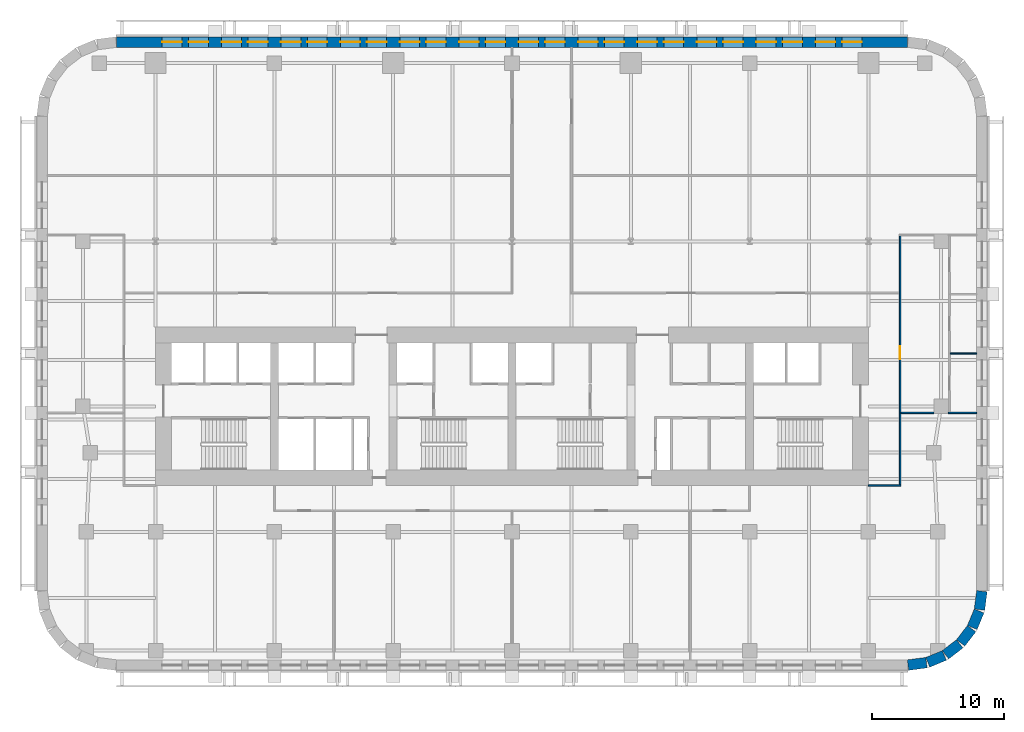
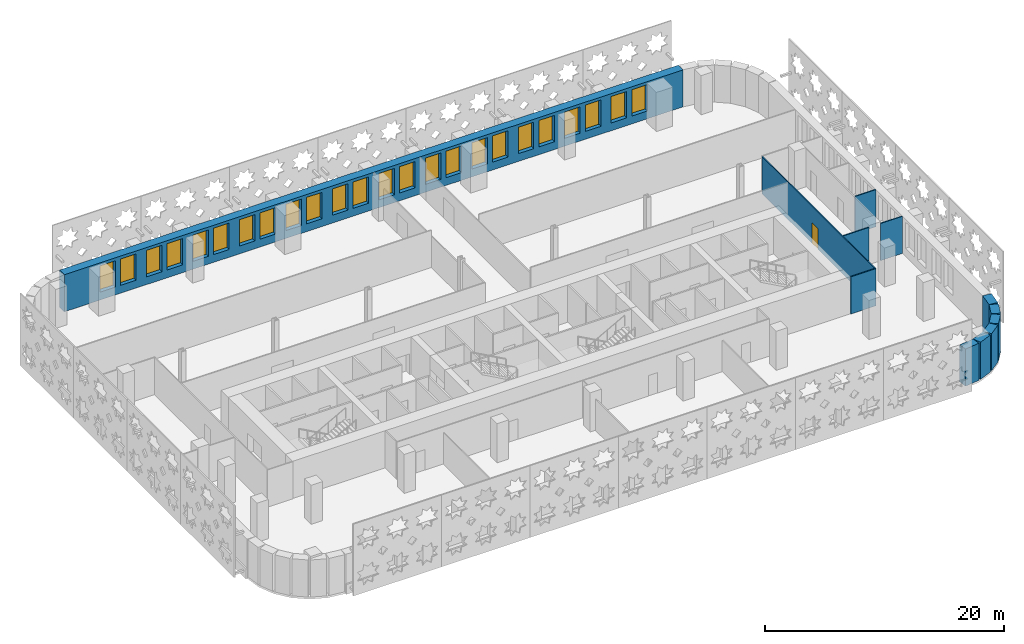
# One storey, part 8 of 15: 24 windows, 12 walls, 1 door, 25 openings.
"""IFC4 building model written with IfcOpenShell, lengths in metres."""

from ifc_helpers import new_model, si_unit, direction, frame, frame_2d, origin, place, context, subcontext, project, spatial, rectangle, extrude, material, layer, layer_set, type_object, element, fill, save


model = new_model("IFC4")

# Units and contexts
model_context = context("Model", 3, precision=1e-05, world=origin(), true_north=direction((0.0, 1.0)))
body_context = subcontext(model_context, "Body", "Model", "MODEL_VIEW")
ifc_project = project(units=[si_unit("LENGTHUNIT", "METRE"), si_unit("AREAUNIT", "SQUARE_METRE"), si_unit("VOLUMEUNIT", "CUBIC_METRE"), si_unit("PLANEANGLEUNIT", "RADIAN"), si_unit("MASSUNIT", "GRAM", prefix="KILO")], contexts=[model_context])

# Site, building, storey
site_placement = place(None, origin())
site = spatial("IfcSite", under=ifc_project, at=site_placement, CompositionType="ELEMENT")
building_placement = place(site_placement, origin())
building = spatial("IfcBuilding", under=site, at=building_placement, Name="Zellij Exchange Tower", CompositionType="ELEMENT")
storey_placement = place(building_placement, frame((0.0, 0.0, 84.5)))
storey = spatial("IfcBuildingStorey", under=building, at=storey_placement, Name="L17", CompositionType="ELEMENT", Elevation=84.5)

# Walls
ifc_material_1 = material(Name="Precast concrete C40/50", Category="concrete")
ifc_layer_1 = layer(ifc_material_1, 0.800048828125)
ifc_layer_set_1 = layer_set([ifc_layer_1], Name="Precast concrete C40/50")
wall_type_1 = type_object("IfcWallType", Name="ENV-EW1 Precast stone-piered wall 800", PredefinedType="SOLIDWALL", material=ifc_layer_set_1)
wall_1_placement = place(storey_placement, frame((29.999755859375, -27.5966796875, 0.0), z_axis=(0.0, 0.0, 1.0), x_axis=(0.99144603414, 0.130517283865, 0.0)))
element("IfcWall", 1, at=wall_1_placement, inside=storey, type_object=wall_type_1, Name="fac.L17.01", PredefinedType="SOLIDWALL", context=body_context, shape_type="SweptSolid", body=[
    extrude(rectangle(XDim=1.408447265625, YDim=0.800048828125, at=frame_2d((0.7041015625, 0.0))), origin(), (0.0, 0.0, 1.0), 3.800048828125),
])
wall_2_placement = place(storey_placement, frame((31.497314453125, -27.3857421875, 0.0), z_axis=(0.0, 0.0, 1.0), x_axis=(0.923847774587, 0.38276009378, 0.0)))
element("IfcWall", 2, at=wall_2_placement, inside=storey, type_object=wall_type_1, Name="fac.L17.02", PredefinedType="SOLIDWALL", context=body_context, shape_type="SweptSolid", body=[
    extrude(rectangle(XDim=1.35546875, YDim=0.800048828125, at=frame_2d((0.677734375, 0.0))), origin(), (0.0, 0.0, 1.0), 3.800048828125),
])
for number, where, z_axis, x_axis, name in (
    (3, (32.840087890625, -26.814697265625, 0.0), (0.0, 0.0, 1.0), (0.793272915452, 0.608866226366, 0.0), "fac.L17.03"),
    (4, (33.9892578125, -25.91552734375, 0.0), (0.0, 0.0, 1.0), (0.608866226366, 0.793272915452, 0.0), "fac.L17.04"),
):
    element("IfcWall", number, at=place(storey_placement, frame(where, z_axis=z_axis, x_axis=x_axis)), inside=storey, type_object=wall_type_1, Name=name, PredefinedType="SOLIDWALL", context=body_context, shape_type="SweptSolid", body=[
        extrude(rectangle(XDim=1.355712890625, YDim=0.800048828125, at=frame_2d((0.677734375, 0.0))), origin(), (0.0, 0.0, 1.0), 3.800048828125),
    ])
wall_3_placement = place(storey_placement, frame((34.866943359375, -24.74951171875, 0.0), z_axis=(0.0, 0.0, 1.0), x_axis=(0.38276009378, 0.923847774587, 0.0)))
element("IfcWall", 5, at=wall_3_placement, inside=storey, type_object=wall_type_1, Name="fac.L17.05", PredefinedType="SOLIDWALL", context=body_context, shape_type="SweptSolid", body=[
    extrude(rectangle(XDim=1.35546875, YDim=0.800048828125, at=frame_2d((0.677734375, 0.0))), origin(), (0.0, 0.0, 1.0), 3.800048828125),
])
wall_4_placement = place(storey_placement, frame((35.412841796875, -23.396240234375, 0.0), z_axis=(0.0, 0.0, 1.0), x_axis=(0.130517283865, 0.99144603414, 0.0)))
element("IfcWall", 6, at=wall_4_placement, inside=storey, type_object=wall_type_1, Name="fac.L17.06", PredefinedType="SOLIDWALL", context=body_context, shape_type="SweptSolid", body=[
    extrude(rectangle(XDim=1.408447265625, YDim=0.800048828125, at=frame_2d((0.7041015625, 0.0))), origin(), (0.0, 0.0, 1.0), 3.800048828125),
])

# Wall, openings, windows
wall_5_placement = place(storey_placement, frame((29.947509765625, 19.60009765625, 0.0), z_axis=(0.0, 0.0, 1.0), x_axis=(-1.0, 0.0, 0.0)))
wall_5 = element("IfcWall", 7, at=wall_5_placement, inside=storey, type_object=wall_type_1, Name="fac.L17.14", PredefinedType="SOLIDWALL", context=body_context, shape_type="SweptSolid", body=[
    extrude(rectangle(XDim=59.89501953125, YDim=0.800048828125, at=frame_2d((29.947509765625, 0.0))), origin(), (0.0, 0.0, 1.0), 3.800048828125),
])
opening_1_placement = place(wall_5_placement, frame((3.447509765625, 0.0, 0.800048828125)))
opening_1 = element("IfcOpeningElement", 8, at=opening_1_placement, cuts=wall_5, Name="Opening FZ1.37", PredefinedType="OPENING", context=body_context, shape_type="SweptSolid", body=[
    extrude(rectangle(XDim=1.5, YDim=2.699951171875, at=frame_2d((0.75, 1.35009765625))), frame((0.0, 0.412109375, 0.0), z_axis=(0.0, -1.0, 0.0), x_axis=(1.0, 0.0, 0.0)), (0.0, 0.0, 1.0), 0.823974609375),
])
opening_2_placement = place(wall_5_placement, frame((5.447509765625, 0.0, 0.800048828125)))
opening_2 = element("IfcOpeningElement", 9, at=opening_2_placement, cuts=wall_5, Name="Opening FZ1.38", PredefinedType="OPENING", context=body_context, shape_type="SweptSolid", body=[
    extrude(rectangle(XDim=1.5, YDim=2.699951171875, at=frame_2d((0.75, 1.35009765625))), frame((0.0, 0.412109375, 0.0), z_axis=(0.0, -1.0, 0.0), x_axis=(1.0, 0.0, 0.0)), (0.0, 0.0, 1.0), 0.823974609375),
])
opening_3_placement = place(wall_5_placement, frame((7.947509765625, 0.0, 0.800048828125)))
opening_3 = element("IfcOpeningElement", 10, at=opening_3_placement, cuts=wall_5, Name="Opening FZ1.39", PredefinedType="OPENING", context=body_context, shape_type="SweptSolid", body=[
    extrude(rectangle(XDim=1.5, YDim=2.699951171875, at=frame_2d((0.75, 1.35009765625))), frame((0.0, 0.412109375, 0.0), z_axis=(0.0, -1.0, 0.0), x_axis=(1.0, 0.0, 0.0)), (0.0, 0.0, 1.0), 0.823974609375),
])
opening_4_placement = place(wall_5_placement, frame((9.947509765625, 0.0, 0.800048828125)))
opening_4 = element("IfcOpeningElement", 11, at=opening_4_placement, cuts=wall_5, Name="Opening FZ1.40", PredefinedType="OPENING", context=body_context, shape_type="SweptSolid", body=[
    extrude(rectangle(XDim=1.5, YDim=2.699951171875, at=frame_2d((0.75, 1.35009765625))), frame((0.0, 0.412109375, 0.0), z_axis=(0.0, -1.0, 0.0), x_axis=(1.0, 0.0, 0.0)), (0.0, 0.0, 1.0), 0.823974609375),
])
opening_5_placement = place(wall_5_placement, frame((12.447509765625, 0.0, 0.800048828125)))
opening_5 = element("IfcOpeningElement", 12, at=opening_5_placement, cuts=wall_5, Name="Opening FZ1.41", PredefinedType="OPENING", context=body_context, shape_type="SweptSolid", body=[
    extrude(rectangle(XDim=1.5, YDim=2.699951171875, at=frame_2d((0.75, 1.35009765625))), frame((0.0, 0.412109375, 0.0), z_axis=(0.0, -1.0, 0.0), x_axis=(1.0, 0.0, 0.0)), (0.0, 0.0, 1.0), 0.823974609375),
])
opening_6_placement = place(wall_5_placement, frame((14.447509765625, 0.0, 0.800048828125)))
opening_6 = element("IfcOpeningElement", 13, at=opening_6_placement, cuts=wall_5, Name="Opening FZ1.42", PredefinedType="OPENING", context=body_context, shape_type="SweptSolid", body=[
    extrude(rectangle(XDim=1.5, YDim=2.699951171875, at=frame_2d((0.75, 1.35009765625))), frame((0.0, 0.412109375, 0.0), z_axis=(0.0, -1.0, 0.0), x_axis=(1.0, 0.0, 0.0)), (0.0, 0.0, 1.0), 0.823974609375),
])
opening_7_placement = place(wall_5_placement, frame((16.947509765625, 0.0, 0.800048828125)))
opening_7 = element("IfcOpeningElement", 14, at=opening_7_placement, cuts=wall_5, Name="Opening FZ1.43", PredefinedType="OPENING", context=body_context, shape_type="SweptSolid", body=[
    extrude(rectangle(XDim=1.5, YDim=2.699951171875, at=frame_2d((0.75, 1.35009765625))), frame((0.0, 0.412109375, 0.0), z_axis=(0.0, -1.0, 0.0), x_axis=(1.0, 0.0, 0.0)), (0.0, 0.0, 1.0), 0.823974609375),
])
opening_8_placement = place(wall_5_placement, frame((18.947509765625, 0.0, 0.800048828125)))
opening_8 = element("IfcOpeningElement", 15, at=opening_8_placement, cuts=wall_5, Name="Opening FZ1.44", PredefinedType="OPENING", context=body_context, shape_type="SweptSolid", body=[
    extrude(rectangle(XDim=1.5, YDim=2.699951171875, at=frame_2d((0.75, 1.35009765625))), frame((0.0, 0.412109375, 0.0), z_axis=(0.0, -1.0, 0.0), x_axis=(1.0, 0.0, 0.0)), (0.0, 0.0, 1.0), 0.823974609375),
])
opening_9_placement = place(wall_5_placement, frame((21.447509765625, 0.0, 0.800048828125)))
opening_9 = element("IfcOpeningElement", 16, at=opening_9_placement, cuts=wall_5, Name="Opening FZ1.45", PredefinedType="OPENING", context=body_context, shape_type="SweptSolid", body=[
    extrude(rectangle(XDim=1.5, YDim=2.699951171875, at=frame_2d((0.75, 1.35009765625))), frame((0.0, 0.412109375, 0.0), z_axis=(0.0, -1.0, 0.0), x_axis=(1.0, 0.0, 0.0)), (0.0, 0.0, 1.0), 0.823974609375),
])
opening_10_placement = place(wall_5_placement, frame((23.447509765625, 0.0, 0.800048828125)))
opening_10 = element("IfcOpeningElement", 17, at=opening_10_placement, cuts=wall_5, Name="Opening FZ1.46", PredefinedType="OPENING", context=body_context, shape_type="SweptSolid", body=[
    extrude(rectangle(XDim=1.5, YDim=2.699951171875, at=frame_2d((0.75, 1.35009765625))), frame((0.0, 0.412109375, 0.0), z_axis=(0.0, -1.0, 0.0), x_axis=(1.0, 0.0, 0.0)), (0.0, 0.0, 1.0), 0.823974609375),
])
opening_11_placement = place(wall_5_placement, frame((25.947509765625, 0.0, 0.800048828125)))
opening_11 = element("IfcOpeningElement", 18, at=opening_11_placement, cuts=wall_5, Name="Opening FZ1.47", PredefinedType="OPENING", context=body_context, shape_type="SweptSolid", body=[
    extrude(rectangle(XDim=1.5, YDim=2.699951171875, at=frame_2d((0.75, 1.35009765625))), frame((0.0, 0.412109375, 0.0), z_axis=(0.0, -1.0, 0.0), x_axis=(1.0, 0.0, 0.0)), (0.0, 0.0, 1.0), 0.823974609375),
])
opening_12_placement = place(wall_5_placement, frame((27.947509765625, 0.0, 0.800048828125)))
opening_12 = element("IfcOpeningElement", 19, at=opening_12_placement, cuts=wall_5, Name="Opening FZ1.48", PredefinedType="OPENING", context=body_context, shape_type="SweptSolid", body=[
    extrude(rectangle(XDim=1.5, YDim=2.699951171875, at=frame_2d((0.75, 1.35009765625))), frame((0.0, 0.412109375, 0.0), z_axis=(0.0, -1.0, 0.0), x_axis=(1.0, 0.0, 0.0)), (0.0, 0.0, 1.0), 0.823974609375),
])
opening_13_placement = place(wall_5_placement, frame((30.447509765625, 0.0, 0.800048828125)))
opening_13 = element("IfcOpeningElement", 20, at=opening_13_placement, cuts=wall_5, Name="Opening FZ1.49", PredefinedType="OPENING", context=body_context, shape_type="SweptSolid", body=[
    extrude(rectangle(XDim=1.5, YDim=2.699951171875, at=frame_2d((0.75, 1.35009765625))), frame((0.0, 0.412109375, 0.0), z_axis=(0.0, -1.0, 0.0), x_axis=(1.0, 0.0, 0.0)), (0.0, 0.0, 1.0), 0.823974609375),
])
opening_14_placement = place(wall_5_placement, frame((32.447509765625, 0.0, 0.800048828125)))
opening_14 = element("IfcOpeningElement", 21, at=opening_14_placement, cuts=wall_5, Name="Opening FZ1.50", PredefinedType="OPENING", context=body_context, shape_type="SweptSolid", body=[
    extrude(rectangle(XDim=1.5, YDim=2.699951171875, at=frame_2d((0.75, 1.35009765625))), frame((0.0, 0.412109375, 0.0), z_axis=(0.0, -1.0, 0.0), x_axis=(1.0, 0.0, 0.0)), (0.0, 0.0, 1.0), 0.823974609375),
])
opening_15_placement = place(wall_5_placement, frame((34.947509765625, 0.0, 0.800048828125)))
opening_15 = element("IfcOpeningElement", 22, at=opening_15_placement, cuts=wall_5, Name="Opening FZ1.51", PredefinedType="OPENING", context=body_context, shape_type="SweptSolid", body=[
    extrude(rectangle(XDim=1.5, YDim=2.699951171875, at=frame_2d((0.75, 1.35009765625))), frame((0.0, 0.412109375, 0.0), z_axis=(0.0, -1.0, 0.0), x_axis=(1.0, 0.0, 0.0)), (0.0, 0.0, 1.0), 0.823974609375),
])
opening_16_placement = place(wall_5_placement, frame((36.947509765625, 0.0, 0.800048828125)))
opening_16 = element("IfcOpeningElement", 23, at=opening_16_placement, cuts=wall_5, Name="Opening FZ1.52", PredefinedType="OPENING", context=body_context, shape_type="SweptSolid", body=[
    extrude(rectangle(XDim=1.5, YDim=2.699951171875, at=frame_2d((0.75, 1.35009765625))), frame((0.0, 0.412109375, 0.0), z_axis=(0.0, -1.0, 0.0), x_axis=(1.0, 0.0, 0.0)), (0.0, 0.0, 1.0), 0.823974609375),
])
opening_17_placement = place(wall_5_placement, frame((39.447509765625, 0.0, 0.800048828125)))
opening_17 = element("IfcOpeningElement", 24, at=opening_17_placement, cuts=wall_5, Name="Opening FZ1.53", PredefinedType="OPENING", context=body_context, shape_type="SweptSolid", body=[
    extrude(rectangle(XDim=1.5, YDim=2.699951171875, at=frame_2d((0.75, 1.35009765625))), frame((0.0, 0.412109375, 0.0), z_axis=(0.0, -1.0, 0.0), x_axis=(1.0, 0.0, 0.0)), (0.0, 0.0, 1.0), 0.823974609375),
])
opening_18_placement = place(wall_5_placement, frame((41.447509765625, 0.0, 0.800048828125)))
opening_18 = element("IfcOpeningElement", 25, at=opening_18_placement, cuts=wall_5, Name="Opening FZ1.54", PredefinedType="OPENING", context=body_context, shape_type="SweptSolid", body=[
    extrude(rectangle(XDim=1.5, YDim=2.699951171875, at=frame_2d((0.75, 1.35009765625))), frame((0.0, 0.412109375, 0.0), z_axis=(0.0, -1.0, 0.0), x_axis=(1.0, 0.0, 0.0)), (0.0, 0.0, 1.0), 0.823974609375),
])
opening_19_placement = place(wall_5_placement, frame((43.947509765625, 0.0, 0.800048828125)))
opening_19 = element("IfcOpeningElement", 26, at=opening_19_placement, cuts=wall_5, Name="Opening FZ1.55", PredefinedType="OPENING", context=body_context, shape_type="SweptSolid", body=[
    extrude(rectangle(XDim=1.5, YDim=2.699951171875, at=frame_2d((0.75, 1.35009765625))), frame((0.0, 0.412109375, 0.0), z_axis=(0.0, -1.0, 0.0), x_axis=(1.0, 0.0, 0.0)), (0.0, 0.0, 1.0), 0.823974609375),
])
opening_20_placement = place(wall_5_placement, frame((45.947509765625, 0.0, 0.800048828125)))
opening_20 = element("IfcOpeningElement", 27, at=opening_20_placement, cuts=wall_5, Name="Opening FZ1.56", PredefinedType="OPENING", context=body_context, shape_type="SweptSolid", body=[
    extrude(rectangle(XDim=1.5, YDim=2.699951171875, at=frame_2d((0.75, 1.35009765625))), frame((0.0, 0.412109375, 0.0), z_axis=(0.0, -1.0, 0.0), x_axis=(1.0, 0.0, 0.0)), (0.0, 0.0, 1.0), 0.823974609375),
])
opening_21_placement = place(wall_5_placement, frame((48.447509765625, 0.0, 0.800048828125)))
opening_21 = element("IfcOpeningElement", 28, at=opening_21_placement, cuts=wall_5, Name="Opening FZ1.57", PredefinedType="OPENING", context=body_context, shape_type="SweptSolid", body=[
    extrude(rectangle(XDim=1.5, YDim=2.699951171875, at=frame_2d((0.75, 1.35009765625))), frame((0.0, 0.412109375, 0.0), z_axis=(0.0, -1.0, 0.0), x_axis=(1.0, 0.0, 0.0)), (0.0, 0.0, 1.0), 0.823974609375),
])
opening_22_placement = place(wall_5_placement, frame((50.447509765625, 0.0, 0.800048828125)))
opening_22 = element("IfcOpeningElement", 29, at=opening_22_placement, cuts=wall_5, Name="Opening FZ1.58", PredefinedType="OPENING", context=body_context, shape_type="SweptSolid", body=[
    extrude(rectangle(XDim=1.5, YDim=2.699951171875, at=frame_2d((0.75, 1.35009765625))), frame((0.0, 0.412109375, 0.0), z_axis=(0.0, -1.0, 0.0), x_axis=(1.0, 0.0, 0.0)), (0.0, 0.0, 1.0), 0.823974609375),
])
opening_23_placement = place(wall_5_placement, frame((52.947509765625, 0.0, 0.800048828125)))
opening_23 = element("IfcOpeningElement", 30, at=opening_23_placement, cuts=wall_5, Name="Opening FZ1.59", PredefinedType="OPENING", context=body_context, shape_type="SweptSolid", body=[
    extrude(rectangle(XDim=1.5, YDim=2.699951171875, at=frame_2d((0.75, 1.35009765625))), frame((0.0, 0.412109375, 0.0), z_axis=(0.0, -1.0, 0.0), x_axis=(1.0, 0.0, 0.0)), (0.0, 0.0, 1.0), 0.823974609375),
])
opening_24_placement = place(wall_5_placement, frame((54.947509765625, 0.0, 0.800048828125)))
opening_24 = element("IfcOpeningElement", 31, at=opening_24_placement, cuts=wall_5, Name="Opening FZ1.60", PredefinedType="OPENING", context=body_context, shape_type="SweptSolid", body=[
    extrude(rectangle(XDim=1.5, YDim=2.699951171875, at=frame_2d((0.75, 1.35009765625))), frame((0.0, 0.412109375, 0.0), z_axis=(0.0, -1.0, 0.0), x_axis=(1.0, 0.0, 0.0)), (0.0, 0.0, 1.0), 0.823974609375),
])
ifc_material_2 = material(Name="Aluminium frame with insulating glass", Category="aluminium")
window_type = type_object("IfcWindowType", Name="ENV-W6 Window 1500x2700", PartitioningType="SINGLE_PANEL", PredefinedType="WINDOW", material=ifc_material_2)
window_1_placement = place(opening_1_placement, origin())
window_1 = element("IfcWindow", 32, at=window_1_placement, inside=storey, type_object=window_type, Name="Window FZ1.37", OverallHeight=2.699951171875, OverallWidth=1.5, PartitioningType="SINGLE_PANEL", PredefinedType="WINDOW", context=body_context, shape_type="SweptSolid", body=[
    extrude(rectangle(XDim=1.5, YDim=2.699951171875, at=frame_2d((0.75, 1.35009765625))), frame((0.0, 0.030029296875, 0.0), z_axis=(0.0, -1.0, 0.0), x_axis=(1.0, 0.0, 0.0)), (0.0, 0.0, 1.0), 0.06005859375),
])
fill(opening_1, window_1)
window_2_placement = place(opening_2_placement, origin())
window_2 = element("IfcWindow", 33, at=window_2_placement, inside=storey, type_object=window_type, Name="Window FZ1.38", OverallHeight=2.699951171875, OverallWidth=1.5, PartitioningType="SINGLE_PANEL", PredefinedType="WINDOW", context=body_context, shape_type="SweptSolid", body=[
    extrude(rectangle(XDim=1.5, YDim=2.699951171875, at=frame_2d((0.75, 1.35009765625))), frame((0.0, 0.030029296875, 0.0), z_axis=(0.0, -1.0, 0.0), x_axis=(1.0, 0.0, 0.0)), (0.0, 0.0, 1.0), 0.06005859375),
])
fill(opening_2, window_2)
window_3_placement = place(opening_3_placement, origin())
window_3 = element("IfcWindow", 34, at=window_3_placement, inside=storey, type_object=window_type, Name="Window FZ1.39", OverallHeight=2.699951171875, OverallWidth=1.5, PartitioningType="SINGLE_PANEL", PredefinedType="WINDOW", context=body_context, shape_type="SweptSolid", body=[
    extrude(rectangle(XDim=1.5, YDim=2.699951171875, at=frame_2d((0.75, 1.35009765625))), frame((0.0, 0.030029296875, 0.0), z_axis=(0.0, -1.0, 0.0), x_axis=(1.0, 0.0, 0.0)), (0.0, 0.0, 1.0), 0.06005859375),
])
fill(opening_3, window_3)
window_4_placement = place(opening_4_placement, origin())
window_4 = element("IfcWindow", 35, at=window_4_placement, inside=storey, type_object=window_type, Name="Window FZ1.40", OverallHeight=2.699951171875, OverallWidth=1.5, PartitioningType="SINGLE_PANEL", PredefinedType="WINDOW", context=body_context, shape_type="SweptSolid", body=[
    extrude(rectangle(XDim=1.5, YDim=2.699951171875, at=frame_2d((0.75, 1.35009765625))), frame((0.0, 0.030029296875, 0.0), z_axis=(0.0, -1.0, 0.0), x_axis=(1.0, 0.0, 0.0)), (0.0, 0.0, 1.0), 0.06005859375),
])
fill(opening_4, window_4)
window_5_placement = place(opening_5_placement, origin())
window_5 = element("IfcWindow", 36, at=window_5_placement, inside=storey, type_object=window_type, Name="Window FZ1.41", OverallHeight=2.699951171875, OverallWidth=1.5, PartitioningType="SINGLE_PANEL", PredefinedType="WINDOW", context=body_context, shape_type="SweptSolid", body=[
    extrude(rectangle(XDim=1.5, YDim=2.699951171875, at=frame_2d((0.75, 1.35009765625))), frame((0.0, 0.030029296875, 0.0), z_axis=(0.0, -1.0, 0.0), x_axis=(1.0, 0.0, 0.0)), (0.0, 0.0, 1.0), 0.06005859375),
])
fill(opening_5, window_5)
window_6_placement = place(opening_6_placement, origin())
window_6 = element("IfcWindow", 37, at=window_6_placement, inside=storey, type_object=window_type, Name="Window FZ1.42", OverallHeight=2.699951171875, OverallWidth=1.5, PartitioningType="SINGLE_PANEL", PredefinedType="WINDOW", context=body_context, shape_type="SweptSolid", body=[
    extrude(rectangle(XDim=1.5, YDim=2.699951171875, at=frame_2d((0.75, 1.35009765625))), frame((0.0, 0.030029296875, 0.0), z_axis=(0.0, -1.0, 0.0), x_axis=(1.0, 0.0, 0.0)), (0.0, 0.0, 1.0), 0.06005859375),
])
fill(opening_6, window_6)
window_7_placement = place(opening_7_placement, origin())
window_7 = element("IfcWindow", 38, at=window_7_placement, inside=storey, type_object=window_type, Name="Window FZ1.43", OverallHeight=2.699951171875, OverallWidth=1.5, PartitioningType="SINGLE_PANEL", PredefinedType="WINDOW", context=body_context, shape_type="SweptSolid", body=[
    extrude(rectangle(XDim=1.5, YDim=2.699951171875, at=frame_2d((0.75, 1.35009765625))), frame((0.0, 0.030029296875, 0.0), z_axis=(0.0, -1.0, 0.0), x_axis=(1.0, 0.0, 0.0)), (0.0, 0.0, 1.0), 0.06005859375),
])
fill(opening_7, window_7)
window_8_placement = place(opening_8_placement, origin())
window_8 = element("IfcWindow", 39, at=window_8_placement, inside=storey, type_object=window_type, Name="Window FZ1.44", OverallHeight=2.699951171875, OverallWidth=1.5, PartitioningType="SINGLE_PANEL", PredefinedType="WINDOW", context=body_context, shape_type="SweptSolid", body=[
    extrude(rectangle(XDim=1.5, YDim=2.699951171875, at=frame_2d((0.75, 1.35009765625))), frame((0.0, 0.030029296875, 0.0), z_axis=(0.0, -1.0, 0.0), x_axis=(1.0, 0.0, 0.0)), (0.0, 0.0, 1.0), 0.06005859375),
])
fill(opening_8, window_8)
window_9_placement = place(opening_9_placement, origin())
window_9 = element("IfcWindow", 40, at=window_9_placement, inside=storey, type_object=window_type, Name="Window FZ1.45", OverallHeight=2.699951171875, OverallWidth=1.5, PartitioningType="SINGLE_PANEL", PredefinedType="WINDOW", context=body_context, shape_type="SweptSolid", body=[
    extrude(rectangle(XDim=1.5, YDim=2.699951171875, at=frame_2d((0.75, 1.35009765625))), frame((0.0, 0.030029296875, 0.0), z_axis=(0.0, -1.0, 0.0), x_axis=(1.0, 0.0, 0.0)), (0.0, 0.0, 1.0), 0.06005859375),
])
fill(opening_9, window_9)
window_10_placement = place(opening_10_placement, origin())
window_10 = element("IfcWindow", 41, at=window_10_placement, inside=storey, type_object=window_type, Name="Window FZ1.46", OverallHeight=2.699951171875, OverallWidth=1.5, PartitioningType="SINGLE_PANEL", PredefinedType="WINDOW", context=body_context, shape_type="SweptSolid", body=[
    extrude(rectangle(XDim=1.5, YDim=2.699951171875, at=frame_2d((0.75, 1.35009765625))), frame((0.0, 0.030029296875, 0.0), z_axis=(0.0, -1.0, 0.0), x_axis=(1.0, 0.0, 0.0)), (0.0, 0.0, 1.0), 0.06005859375),
])
fill(opening_10, window_10)
window_11_placement = place(opening_11_placement, origin())
window_11 = element("IfcWindow", 42, at=window_11_placement, inside=storey, type_object=window_type, Name="Window FZ1.47", OverallHeight=2.699951171875, OverallWidth=1.5, PartitioningType="SINGLE_PANEL", PredefinedType="WINDOW", context=body_context, shape_type="SweptSolid", body=[
    extrude(rectangle(XDim=1.5, YDim=2.699951171875, at=frame_2d((0.75, 1.35009765625))), frame((0.0, 0.030029296875, 0.0), z_axis=(0.0, -1.0, 0.0), x_axis=(1.0, 0.0, 0.0)), (0.0, 0.0, 1.0), 0.06005859375),
])
fill(opening_11, window_11)
window_12_placement = place(opening_12_placement, origin())
window_12 = element("IfcWindow", 43, at=window_12_placement, inside=storey, type_object=window_type, Name="Window FZ1.48", OverallHeight=2.699951171875, OverallWidth=1.5, PartitioningType="SINGLE_PANEL", PredefinedType="WINDOW", context=body_context, shape_type="SweptSolid", body=[
    extrude(rectangle(XDim=1.5, YDim=2.699951171875, at=frame_2d((0.75, 1.35009765625))), frame((0.0, 0.030029296875, 0.0), z_axis=(0.0, -1.0, 0.0), x_axis=(1.0, 0.0, 0.0)), (0.0, 0.0, 1.0), 0.06005859375),
])
fill(opening_12, window_12)
window_13_placement = place(opening_13_placement, origin())
window_13 = element("IfcWindow", 44, at=window_13_placement, inside=storey, type_object=window_type, Name="Window FZ1.49", OverallHeight=2.699951171875, OverallWidth=1.5, PartitioningType="SINGLE_PANEL", PredefinedType="WINDOW", context=body_context, shape_type="SweptSolid", body=[
    extrude(rectangle(XDim=1.5, YDim=2.699951171875, at=frame_2d((0.75, 1.35009765625))), frame((0.0, 0.030029296875, 0.0), z_axis=(0.0, -1.0, 0.0), x_axis=(1.0, 0.0, 0.0)), (0.0, 0.0, 1.0), 0.06005859375),
])
fill(opening_13, window_13)
window_14_placement = place(opening_14_placement, origin())
window_14 = element("IfcWindow", 45, at=window_14_placement, inside=storey, type_object=window_type, Name="Window FZ1.50", OverallHeight=2.699951171875, OverallWidth=1.5, PartitioningType="SINGLE_PANEL", PredefinedType="WINDOW", context=body_context, shape_type="SweptSolid", body=[
    extrude(rectangle(XDim=1.5, YDim=2.699951171875, at=frame_2d((0.75, 1.35009765625))), frame((0.0, 0.030029296875, 0.0), z_axis=(0.0, -1.0, 0.0), x_axis=(1.0, 0.0, 0.0)), (0.0, 0.0, 1.0), 0.06005859375),
])
fill(opening_14, window_14)
window_15_placement = place(opening_15_placement, origin())
window_15 = element("IfcWindow", 46, at=window_15_placement, inside=storey, type_object=window_type, Name="Window FZ1.51", OverallHeight=2.699951171875, OverallWidth=1.5, PartitioningType="SINGLE_PANEL", PredefinedType="WINDOW", context=body_context, shape_type="SweptSolid", body=[
    extrude(rectangle(XDim=1.5, YDim=2.699951171875, at=frame_2d((0.75, 1.35009765625))), frame((0.0, 0.030029296875, 0.0), z_axis=(0.0, -1.0, 0.0), x_axis=(1.0, 0.0, 0.0)), (0.0, 0.0, 1.0), 0.06005859375),
])
fill(opening_15, window_15)
window_16_placement = place(opening_16_placement, origin())
window_16 = element("IfcWindow", 47, at=window_16_placement, inside=storey, type_object=window_type, Name="Window FZ1.52", OverallHeight=2.699951171875, OverallWidth=1.5, PartitioningType="SINGLE_PANEL", PredefinedType="WINDOW", context=body_context, shape_type="SweptSolid", body=[
    extrude(rectangle(XDim=1.5, YDim=2.699951171875, at=frame_2d((0.75, 1.35009765625))), frame((0.0, 0.030029296875, 0.0), z_axis=(0.0, -1.0, 0.0), x_axis=(1.0, 0.0, 0.0)), (0.0, 0.0, 1.0), 0.06005859375),
])
fill(opening_16, window_16)
window_17_placement = place(opening_17_placement, origin())
window_17 = element("IfcWindow", 48, at=window_17_placement, inside=storey, type_object=window_type, Name="Window FZ1.53", OverallHeight=2.699951171875, OverallWidth=1.5, PartitioningType="SINGLE_PANEL", PredefinedType="WINDOW", context=body_context, shape_type="SweptSolid", body=[
    extrude(rectangle(XDim=1.5, YDim=2.699951171875, at=frame_2d((0.75, 1.35009765625))), frame((0.0, 0.030029296875, 0.0), z_axis=(0.0, -1.0, 0.0), x_axis=(1.0, 0.0, 0.0)), (0.0, 0.0, 1.0), 0.06005859375),
])
fill(opening_17, window_17)
window_18_placement = place(opening_18_placement, origin())
window_18 = element("IfcWindow", 49, at=window_18_placement, inside=storey, type_object=window_type, Name="Window FZ1.54", OverallHeight=2.699951171875, OverallWidth=1.5, PartitioningType="SINGLE_PANEL", PredefinedType="WINDOW", context=body_context, shape_type="SweptSolid", body=[
    extrude(rectangle(XDim=1.5, YDim=2.699951171875, at=frame_2d((0.75, 1.35009765625))), frame((0.0, 0.030029296875, 0.0), z_axis=(0.0, -1.0, 0.0), x_axis=(1.0, 0.0, 0.0)), (0.0, 0.0, 1.0), 0.06005859375),
])
fill(opening_18, window_18)
window_19_placement = place(opening_19_placement, origin())
window_19 = element("IfcWindow", 50, at=window_19_placement, inside=storey, type_object=window_type, Name="Window FZ1.55", OverallHeight=2.699951171875, OverallWidth=1.5, PartitioningType="SINGLE_PANEL", PredefinedType="WINDOW", context=body_context, shape_type="SweptSolid", body=[
    extrude(rectangle(XDim=1.5, YDim=2.699951171875, at=frame_2d((0.75, 1.35009765625))), frame((0.0, 0.030029296875, 0.0), z_axis=(0.0, -1.0, 0.0), x_axis=(1.0, 0.0, 0.0)), (0.0, 0.0, 1.0), 0.06005859375),
])
fill(opening_19, window_19)
window_20_placement = place(opening_20_placement, origin())
window_20 = element("IfcWindow", 51, at=window_20_placement, inside=storey, type_object=window_type, Name="Window FZ1.56", OverallHeight=2.699951171875, OverallWidth=1.5, PartitioningType="SINGLE_PANEL", PredefinedType="WINDOW", context=body_context, shape_type="SweptSolid", body=[
    extrude(rectangle(XDim=1.5, YDim=2.699951171875, at=frame_2d((0.75, 1.35009765625))), frame((0.0, 0.030029296875, 0.0), z_axis=(0.0, -1.0, 0.0), x_axis=(1.0, 0.0, 0.0)), (0.0, 0.0, 1.0), 0.06005859375),
])
fill(opening_20, window_20)
window_21_placement = place(opening_21_placement, origin())
window_21 = element("IfcWindow", 52, at=window_21_placement, inside=storey, type_object=window_type, Name="Window FZ1.57", OverallHeight=2.699951171875, OverallWidth=1.5, PartitioningType="SINGLE_PANEL", PredefinedType="WINDOW", context=body_context, shape_type="SweptSolid", body=[
    extrude(rectangle(XDim=1.5, YDim=2.699951171875, at=frame_2d((0.75, 1.35009765625))), frame((0.0, 0.030029296875, 0.0), z_axis=(0.0, -1.0, 0.0), x_axis=(1.0, 0.0, 0.0)), (0.0, 0.0, 1.0), 0.06005859375),
])
fill(opening_21, window_21)
window_22_placement = place(opening_22_placement, origin())
window_22 = element("IfcWindow", 53, at=window_22_placement, inside=storey, type_object=window_type, Name="Window FZ1.58", OverallHeight=2.699951171875, OverallWidth=1.5, PartitioningType="SINGLE_PANEL", PredefinedType="WINDOW", context=body_context, shape_type="SweptSolid", body=[
    extrude(rectangle(XDim=1.5, YDim=2.699951171875, at=frame_2d((0.75, 1.35009765625))), frame((0.0, 0.030029296875, 0.0), z_axis=(0.0, -1.0, 0.0), x_axis=(1.0, 0.0, 0.0)), (0.0, 0.0, 1.0), 0.06005859375),
])
fill(opening_22, window_22)
window_23_placement = place(opening_23_placement, origin())
window_23 = element("IfcWindow", 54, at=window_23_placement, inside=storey, type_object=window_type, Name="Window FZ1.59", OverallHeight=2.699951171875, OverallWidth=1.5, PartitioningType="SINGLE_PANEL", PredefinedType="WINDOW", context=body_context, shape_type="SweptSolid", body=[
    extrude(rectangle(XDim=1.5, YDim=2.699951171875, at=frame_2d((0.75, 1.35009765625))), frame((0.0, 0.030029296875, 0.0), z_axis=(0.0, -1.0, 0.0), x_axis=(1.0, 0.0, 0.0)), (0.0, 0.0, 1.0), 0.06005859375),
])
fill(opening_23, window_23)
window_24_placement = place(opening_24_placement, origin())
window_24 = element("IfcWindow", 55, at=window_24_placement, inside=storey, type_object=window_type, Name="Window FZ1.60", OverallHeight=2.699951171875, OverallWidth=1.5, PartitioningType="SINGLE_PANEL", PredefinedType="WINDOW", context=body_context, shape_type="SweptSolid", body=[
    extrude(rectangle(XDim=1.5, YDim=2.699951171875, at=frame_2d((0.75, 1.35009765625))), frame((0.0, 0.030029296875, 0.0), z_axis=(0.0, -1.0, 0.0), x_axis=(1.0, 0.0, 0.0)), (0.0, 0.0, 1.0), 0.06005859375),
])
fill(opening_24, window_24)

# Wall
ifc_material_3 = material(Name="Gypsum board partition on steel studs", Category="steel")
ifc_layer_2 = layer(ifc_material_3, 0.10009765625)
ifc_layer_set_2 = layer_set([ifc_layer_2], Name="Gypsum board partition on steel studs")
wall_type_2 = type_object("IfcWallType", Name="FIT-PARTITION-100", PredefinedType="PARTITIONING", material=ifc_layer_set_2)
wall_6_placement = place(storey_placement, frame((27.0, -14.0, 0.0), z_axis=(0.0, 0.0, 1.0), x_axis=(1.0, 0.0, 0.0)))
element("IfcWall", 56, at=wall_6_placement, inside=storey, type_object=wall_type_2, Name="FIT-PARTITION-100 012", PredefinedType="PARTITIONING", context=body_context, shape_type="SweptSolid", body=[
    extrude(rectangle(XDim=2.449951171875, YDim=0.10009765625, at=frame_2d((1.22509765625, 0.0))), origin(), (0.0, 0.0, 1.0), 3.800048828125),
])

# Wall, opening, door
wall_7_placement = place(storey_placement, frame((29.39990234375, -13.949951171875, 0.0), z_axis=(0.0, 0.0, 1.0), x_axis=(0.0, 1.0, 0.0)))
wall_7 = element("IfcWall", 57, at=wall_7_placement, inside=storey, type_object=wall_type_2, Name="FIT-PARTITION-100 013", PredefinedType="PARTITIONING", context=body_context, shape_type="SweptSolid", body=[
    extrude(rectangle(XDim=18.889892578125, YDim=0.10009765625, at=frame_2d((9.44482421875, 0.0))), origin(), (0.0, 0.0, 1.0), 3.800048828125),
])
opening_25_placement = place(wall_7_placement, frame((9.510009765625, 0.0, 0.0)))
opening_25 = element("IfcOpeningElement", 58, at=opening_25_placement, cuts=wall_7, Name="Opening TC.07", PredefinedType="OPENING", context=body_context, shape_type="SweptSolid", body=[
    extrude(rectangle(XDim=1.0, YDim=2.10009765625, at=frame_2d((0.5, 1.050048828125))), frame((0.0, 0.06201171875, 0.0), z_axis=(0.0, -1.0, 0.0), x_axis=(1.0, 0.0, 0.0)), (0.0, 0.0, 1.0), 0.1240234375),
])
ifc_material_4 = material(Name="Timber door set", Category="wood")
door_type = type_object("IfcDoorType", Name="FIT-D2-WIDE-1000X2100", OperationType="SINGLE_SWING_LEFT", PredefinedType="DOOR", material=ifc_material_4)
door_placement = place(opening_25_placement, origin())
door = element("IfcDoor", 59, at=door_placement, inside=storey, type_object=door_type, Name="Door TC.07", OperationType="SINGLE_SWING_LEFT", OverallHeight=2.10009765625, OverallWidth=1.0, PredefinedType="DOOR", context=body_context, shape_type="SweptSolid", body=[
    extrude(rectangle(XDim=1.0, YDim=2.10009765625, at=frame_2d((0.5, 1.050048828125))), frame((0.0, 0.02490234375, 0.0), z_axis=(0.0, -1.0, 0.0), x_axis=(1.0, 0.0, 0.0)), (0.0, 0.0, 1.0), 0.050048828125),
])
fill(opening_25, door)

# Walls
wall_8_placement = place(storey_placement, frame((29.449951171875, -8.489990234375, 0.0), z_axis=(0.0, 0.0, 1.0), x_axis=(1.0, 0.0, 0.0)))
element("IfcWall", 60, at=wall_8_placement, inside=storey, type_object=wall_type_2, Name="FIT-PARTITION-100 016", PredefinedType="PARTITIONING", context=body_context, shape_type="SweptSolid", body=[
    extrude(rectangle(XDim=2.5, YDim=0.10009765625, at=frame_2d((1.25, 0.0))), origin(), (0.0, 0.0, 1.0), 3.800048828125),
])
wall_9_placement = place(storey_placement, frame((33.050048828125, -8.489990234375, 0.0), z_axis=(0.0, 0.0, 1.0), x_axis=(1.0, 0.0, 0.0)))
element("IfcWall", 61, at=wall_9_placement, inside=storey, type_object=wall_type_2, Name="FIT-PARTITION-100 017", PredefinedType="PARTITIONING", context=body_context, shape_type="SweptSolid", body=[
    extrude(rectangle(XDim=2.14990234375, YDim=0.10009765625, at=frame_2d((1.074951171875, 0.0))), origin(), (0.0, 0.0, 1.0), 3.800048828125),
])
wall_10_placement = place(storey_placement, frame((33.199951171875, -4.0, 0.0), z_axis=(0.0, 0.0, 1.0), x_axis=(1.0, 0.0, 0.0)))
element("IfcWall", 62, at=wall_10_placement, inside=storey, type_object=wall_type_2, Name="FIT-PARTITION-100 019", PredefinedType="PARTITIONING", context=body_context, shape_type="SweptSolid", body=[
    extrude(rectangle(XDim=2.0, YDim=0.10009765625, at=frame_2d((1.0, 0.0))), origin(), (0.0, 0.0, 1.0), 3.800048828125),
])

save(model, "model.ifc")
